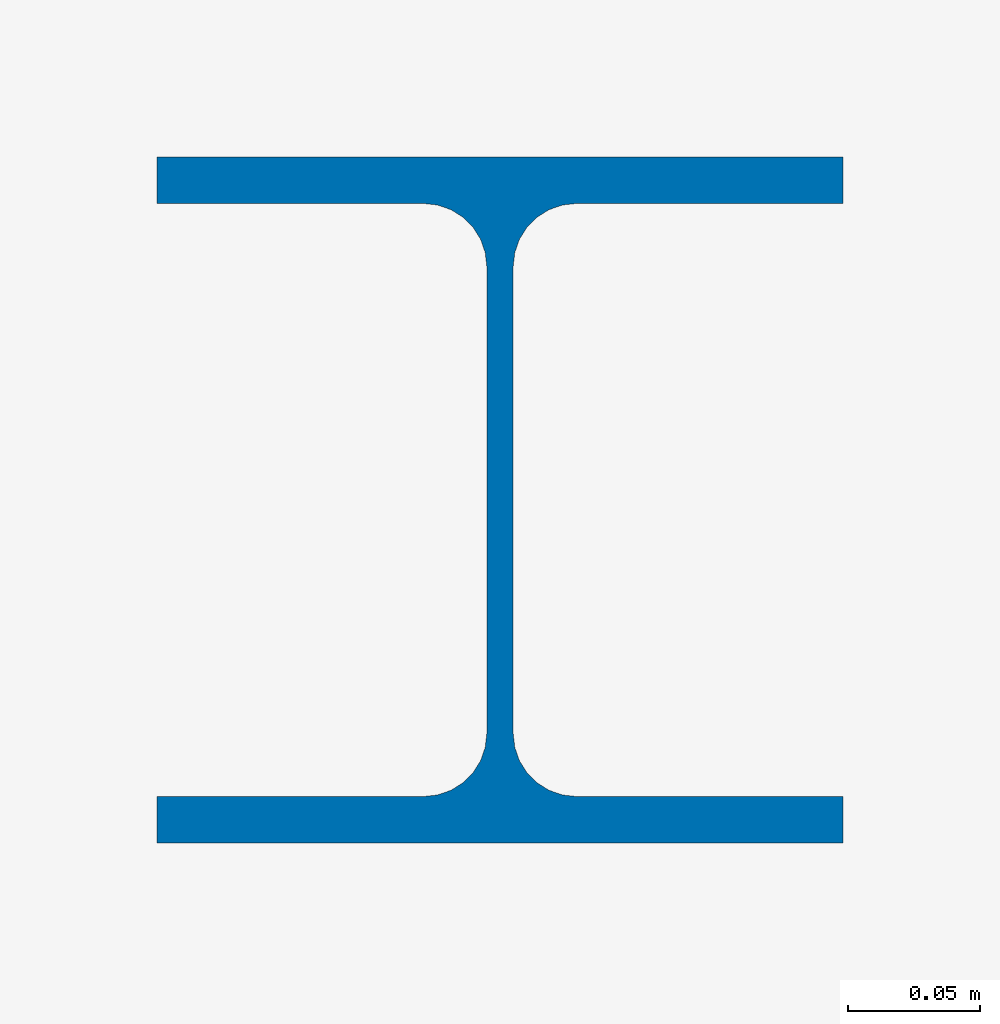
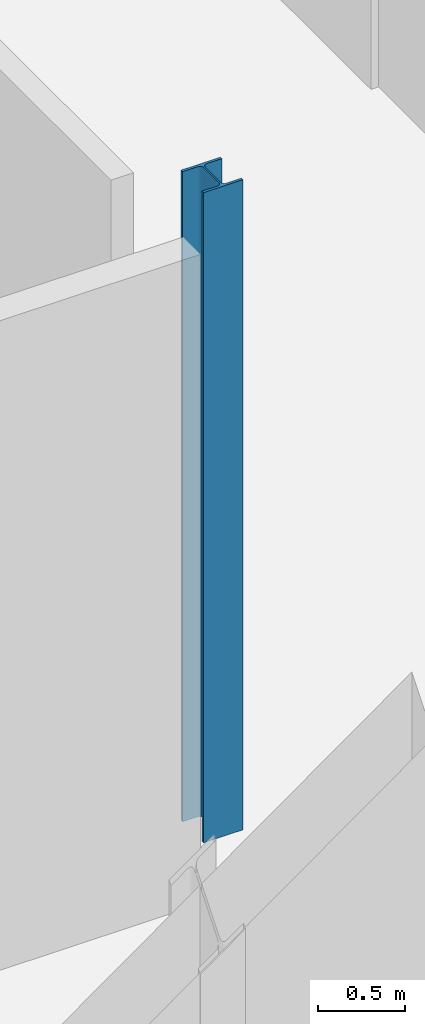
# One storey, part 18 of 91: 1 column.
"""IFC4 building model written with IfcOpenShell, lengths in metres."""

from ifc_helpers import new_model, si_unit, direction, frame, origin, origin_2d, place, context, subcontext, project, spatial, i_section, extrude, material, material_profile, profile_set, type_object, element, save


model = new_model("IFC4")

# Units and contexts
model_context = context("Model", 3, precision=1e-05, world=origin(), true_north=direction((0.0, 1.0)))
body_context = subcontext(model_context, "Body", "Model", "MODEL_VIEW")
ifc_project = project(units=[si_unit("LENGTHUNIT", "METRE"), si_unit("AREAUNIT", "SQUARE_METRE"), si_unit("VOLUMEUNIT", "CUBIC_METRE"), si_unit("PLANEANGLEUNIT", "RADIAN"), si_unit("MASSUNIT", "GRAM", prefix="KILO")], contexts=[model_context])

# Site, building, storey
site_placement = place(None, origin())
site = spatial("IfcSite", under=ifc_project, at=site_placement, CompositionType="ELEMENT")
building_placement = place(site_placement, origin())
building = spatial("IfcBuilding", under=site, at=building_placement, Name="Vinh Khe Railworks Police Headquarters", CompositionType="ELEMENT")
storey_placement = place(building_placement, origin())
storey = spatial("IfcBuildingStorey", under=building, at=storey_placement, Name="L00", CompositionType="ELEMENT", Elevation=0.0)

# Column
ifc_material = material(Name="Steel S355JR", Category="steel")
ifc_material_profile = material_profile(ifc_material, i_section(OverallWidth=0.260009765625, OverallDepth=0.260009765625, WebThickness=0.010009765625, FlangeThickness=0.017578125, FilletRadius=0.02392578125, at=origin_2d()), Name="HEB 260")
ifc_profile_set = profile_set([ifc_material_profile], Name="Steel S355JR")
column_type = type_object("IfcColumnType", Name="Steel Column HEB 260", PredefinedType="COLUMN", material=ifc_profile_set)
column_placement = place(storey_placement, frame((61.85009765625, 148.35009765625, 0.0), z_axis=(0.0, 0.0, 1.0), x_axis=(1.0, 0.0, 0.0)))
element("IfcColumn", 1, at=column_placement, inside=storey, type_object=column_type, Name="Column COL-L00-SC-12-1065", PredefinedType="COLUMN", context=body_context, shape_type="SweptSolid", body=[
    extrude(i_section(OverallWidth=0.260009765625, OverallDepth=0.260009765625, WebThickness=0.010009765625, FlangeThickness=0.017578125, FilletRadius=0.02392578125, at=origin_2d()), origin(), (0.0, 0.0, 1.0), 4.56005859375),
])

save(model, "model.ifc")
